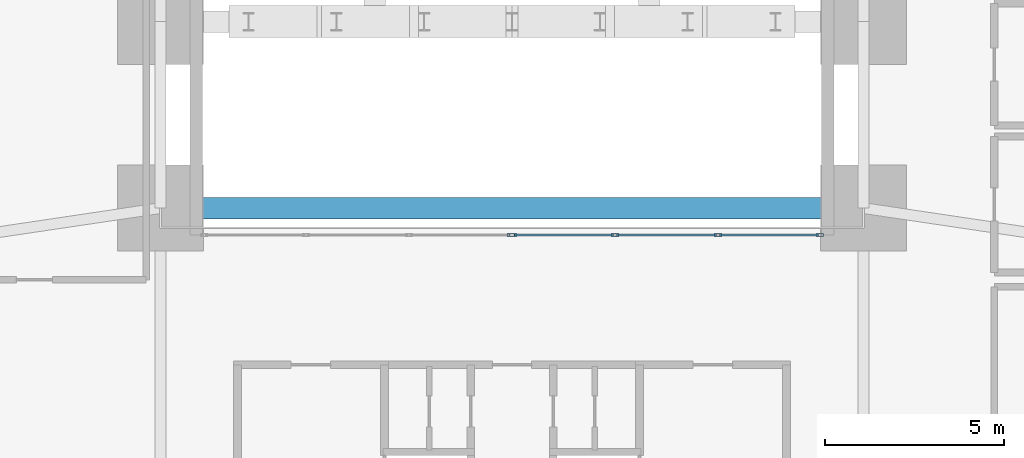
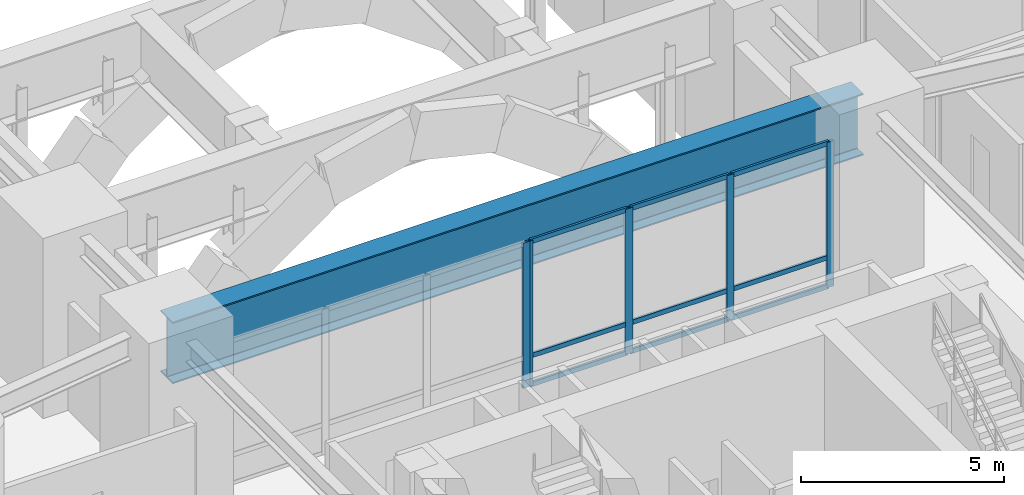
# One storey, part 10 of 18: 14 members, 1 beam, 2 elements without a shape of their own.
"""IFC4 building model written with IfcOpenShell, lengths in metres."""

from ifc_helpers import new_model, si_unit, direction, frame, origin, origin_2d, place, context, subcontext, project, spatial, hollow_rectangle, i_section, extrude, material, layer, layer_set, material_profile, profile_set, type_object, element, aggregate, save


model = new_model("IFC4")

# Units and contexts
model_context = context("Model", 3, precision=1e-05, world=origin(), true_north=direction((0.0, 1.0)))
body_context = subcontext(model_context, "Body", "Model", "MODEL_VIEW")
ifc_project = project(units=[si_unit("LENGTHUNIT", "METRE"), si_unit("AREAUNIT", "SQUARE_METRE"), si_unit("VOLUMEUNIT", "CUBIC_METRE"), si_unit("PLANEANGLEUNIT", "RADIAN"), si_unit("MASSUNIT", "GRAM", prefix="KILO"), si_unit("THERMODYNAMICTEMPERATUREUNIT", "KELVIN"), si_unit("POWERUNIT", "WATT")], contexts=[model_context])

# Site, building, storey
site_placement = place(None, origin())
site = spatial("IfcSite", under=ifc_project, at=site_placement, CompositionType="ELEMENT")
building_placement = place(site_placement, origin())
building = spatial("IfcBuilding", under=site, at=building_placement, Name="Ocrelia Relay Tower", CompositionType="ELEMENT")
storey_placement = place(building_placement, frame((0.0, 0.0, 10.199951171875)))
storey = spatial("IfcBuildingStorey", under=building, at=storey_placement, Name="L02", CompositionType="ELEMENT", Elevation=10.199951171875)

# Beam
ifc_material_1 = material(Name="Steel S355", Category="steel")
ifc_material_profile_1 = material_profile(ifc_material_1, i_section(OverallWidth=0.60009765625, OverallDepth=1.85009765625, WebThickness=0.028076171875, FlangeThickness=0.0400390625, FilletRadius=0.02001953125, at=origin_2d()), Name="WPG 1850x600")
ifc_profile_set_1 = profile_set([ifc_material_profile_1], Name="Steel S355")
beam_type = type_object("IfcBeamType", Name="BM-WPG1650", PredefinedType="T_BEAM", material=ifc_profile_set_1)
beam_placement = place(storey_placement, frame((24.199951171875, 38.800048828125, 4.155029296875), z_axis=(1.0, 0.0, 0.0), x_axis=(0.0, 1.0, 0.0)))
element("IfcBeam", 1, at=beam_placement, inside=storey, type_object=beam_type, Name="L02 Portal Arch Span Transfer Girder G5", PredefinedType="T_BEAM", context=body_context, shape_type="SweptSolid", body=[
    extrude(i_section(OverallWidth=0.60009765625, OverallDepth=1.85009765625, WebThickness=0.028076171875, FlangeThickness=0.0400390625, FilletRadius=0.02001953125, at=origin_2d()), origin(), (0.0, 0.0, 1.0), 19.60009765625),
])

# Curtain wall, member
ifc_material_2 = material(Name="Aluminium and solar-control low-E glass", Category="aluminium")
ifc_layer = layer(ifc_material_2, 0.179931640625, Name="Aluminium and solar-control low-E glass")
ifc_layer_set = layer_set([ifc_layer], Name="Aluminium and solar-control low-E glass")
curtain_wall_type = type_object("IfcCurtainWallType", Name="CW-SYS-POD-ARCH", PredefinedType="NOTDEFINED", material=ifc_layer_set)
curtain_wall_1_placement = place(storey_placement, origin())
curtain_wall_1 = element("IfcCurtainWall", 2, at=curtain_wall_1_placement, inside=storey, type_object=curtain_wall_type, Name="L02 North Portal Concourse Glazed Screen West", PredefinedType="NOTDEFINED")
ifc_material_3 = material(Name="Anodised bronze aluminium", Category="aluminium")
ifc_material_profile_2 = material_profile(ifc_material_3, hollow_rectangle(XDim=0.074951171875, YDim=0.199951171875, WallThickness=0.006103515625, at=origin_2d()), Name="CW-MUL-200x75")
ifc_profile_set_2 = profile_set([ifc_material_profile_2], Name="Anodised bronze aluminium")
member_type_1 = type_object("IfcMemberType", Name="CW-SYS-POD-ARCH-MUL", PredefinedType="MULLION", material=ifc_profile_set_2)
member_1_placement = place(storey_placement, frame((33.96240234375, 38.050048828125, 0.0), z_axis=(0.0, 0.0, 1.0), x_axis=(0.0, 1.0, 0.0)))
member_1 = element("IfcMember", 3, at=member_1_placement, type_object=member_type_1, Name="CW-PA mullion 4", PredefinedType="MULLION", context=body_context, shape_type="SweptSolid", body=[
    extrude(hollow_rectangle(XDim=0.074951171875, YDim=0.199951171875, WallThickness=0.006103515625, at=origin_2d()), origin(), (0.0, 0.0, 1.0), 4.360107421875),
])
aggregate(curtain_wall_1, [member_1])

# Curtain wall, members
curtain_wall_2_placement = place(storey_placement, origin())
curtain_wall_2 = element("IfcCurtainWall", 4, at=curtain_wall_2_placement, inside=storey, type_object=curtain_wall_type, Name="L02 North Portal Concourse Glazed Screen East", PredefinedType="NOTDEFINED")
member_2_placement = place(storey_placement, frame((34.03759765625, 38.050048828125, 0.0), z_axis=(0.0, 0.0, 1.0), x_axis=(0.0, 1.0, 0.0)))
member_2 = element("IfcMember", 5, at=member_2_placement, type_object=member_type_1, Name="CW-PA mullion 1", PredefinedType="MULLION", context=body_context, shape_type="SweptSolid", body=[
    extrude(hollow_rectangle(XDim=0.074951171875, YDim=0.199951171875, WallThickness=0.006103515625, at=origin_2d()), origin(), (0.0, 0.0, 1.0), 4.360107421875),
])
member_3_placement = place(storey_placement, frame((36.873291015625, 38.050048828125, 0.0), z_axis=(0.0, 0.0, 1.0), x_axis=(0.0, 1.0, 0.0)))
member_3 = element("IfcMember", 6, at=member_3_placement, type_object=member_type_1, Name="CW-PA mullion 2", PredefinedType="MULLION", context=body_context, shape_type="SweptSolid", body=[
    extrude(hollow_rectangle(XDim=0.074951171875, YDim=0.199951171875, WallThickness=0.006103515625, at=origin_2d()), origin(), (0.0, 0.0, 1.0), 4.360107421875),
])
member_4_placement = place(storey_placement, frame((39.74658203125, 38.050048828125, 0.0), z_axis=(0.0, 0.0, 1.0), x_axis=(0.0, 1.0, 0.0)))
member_4 = element("IfcMember", 7, at=member_4_placement, type_object=member_type_1, Name="CW-PA mullion 3", PredefinedType="MULLION", context=body_context, shape_type="SweptSolid", body=[
    extrude(hollow_rectangle(XDim=0.074951171875, YDim=0.199951171875, WallThickness=0.006103515625, at=origin_2d()), origin(), (0.0, 0.0, 1.0), 4.360107421875),
])
member_5_placement = place(storey_placement, frame((42.58251953125, 38.050048828125, 0.0), z_axis=(0.0, 0.0, 1.0), x_axis=(0.0, 1.0, 0.0)))
member_5 = element("IfcMember", 8, at=member_5_placement, type_object=member_type_1, Name="CW-PA mullion 4", PredefinedType="MULLION", context=body_context, shape_type="SweptSolid", body=[
    extrude(hollow_rectangle(XDim=0.074951171875, YDim=0.199951171875, WallThickness=0.006103515625, at=origin_2d()), origin(), (0.0, 0.0, 1.0), 4.360107421875),
])
ifc_material_profile_3 = material_profile(ifc_material_3, hollow_rectangle(XDim=0.06494140625, YDim=0.139892578125, WallThickness=0.0048828125, at=origin_2d()), Name="CW-TRN-140x65")
ifc_profile_set_3 = profile_set([ifc_material_profile_3], Name="Anodised bronze aluminium")
member_type_2 = type_object("IfcMemberType", Name="CW-SYS-POD-ARCH-TRN", PredefinedType="USERDEFINED", material=ifc_profile_set_3)
member_6_placement = place(storey_placement, frame((34.074951171875, 38.050048828125, 0.032470703125), z_axis=(1.0, 0.0, 0.0), x_axis=(0.0, 1.0, 0.0)))
member_6 = element("IfcMember", 9, at=member_6_placement, type_object=member_type_2, Name="CW-PA transom 1.1", ObjectType="TRANSOM", PredefinedType="USERDEFINED", context=body_context, shape_type="SweptSolid", body=[
    extrude(hollow_rectangle(XDim=0.06494140625, YDim=0.139892578125, WallThickness=0.0048828125, at=origin_2d()), origin(), (0.0, 0.0, 1.0), 2.760986328125),
])
member_7_placement = place(storey_placement, frame((34.074951171875, 38.050048828125, 0.900146484375), z_axis=(1.0, 0.0, 0.0), x_axis=(0.0, 1.0, 0.0)))
member_7 = element("IfcMember", 10, at=member_7_placement, type_object=member_type_2, Name="CW-PA transom 1.2", ObjectType="TRANSOM", PredefinedType="USERDEFINED", context=body_context, shape_type="SweptSolid", body=[
    extrude(hollow_rectangle(XDim=0.06494140625, YDim=0.139892578125, WallThickness=0.0048828125, at=origin_2d()), origin(), (0.0, 0.0, 1.0), 2.760986328125),
])
member_8_placement = place(storey_placement, frame((34.074951171875, 38.050048828125, 4.32763671875), z_axis=(1.0, 0.0, 0.0), x_axis=(0.0, 1.0, 0.0)))
member_8 = element("IfcMember", 11, at=member_8_placement, type_object=member_type_2, Name="CW-PA transom 1.3", ObjectType="TRANSOM", PredefinedType="USERDEFINED", context=body_context, shape_type="SweptSolid", body=[
    extrude(hollow_rectangle(XDim=0.06494140625, YDim=0.139892578125, WallThickness=0.0048828125, at=origin_2d()), origin(), (0.0, 0.0, 1.0), 2.760986328125),
])
member_9_placement = place(storey_placement, frame((36.910888671875, 38.050048828125, 0.032470703125), z_axis=(1.0, 0.0, 0.0), x_axis=(0.0, 1.0, 0.0)))
member_9 = element("IfcMember", 12, at=member_9_placement, type_object=member_type_2, Name="CW-PA transom 2.1", ObjectType="TRANSOM", PredefinedType="USERDEFINED", context=body_context, shape_type="SweptSolid", body=[
    extrude(hollow_rectangle(XDim=0.06494140625, YDim=0.139892578125, WallThickness=0.0048828125, at=origin_2d()), origin(), (0.0, 0.0, 1.0), 2.79833984375),
])
member_10_placement = place(storey_placement, frame((36.910888671875, 38.050048828125, 0.900146484375), z_axis=(1.0, 0.0, 0.0), x_axis=(0.0, 1.0, 0.0)))
member_10 = element("IfcMember", 13, at=member_10_placement, type_object=member_type_2, Name="CW-PA transom 2.2", ObjectType="TRANSOM", PredefinedType="USERDEFINED", context=body_context, shape_type="SweptSolid", body=[
    extrude(hollow_rectangle(XDim=0.06494140625, YDim=0.139892578125, WallThickness=0.0048828125, at=origin_2d()), origin(), (0.0, 0.0, 1.0), 2.79833984375),
])
member_11_placement = place(storey_placement, frame((36.910888671875, 38.050048828125, 4.32763671875), z_axis=(1.0, 0.0, 0.0), x_axis=(0.0, 1.0, 0.0)))
member_11 = element("IfcMember", 14, at=member_11_placement, type_object=member_type_2, Name="CW-PA transom 2.3", ObjectType="TRANSOM", PredefinedType="USERDEFINED", context=body_context, shape_type="SweptSolid", body=[
    extrude(hollow_rectangle(XDim=0.06494140625, YDim=0.139892578125, WallThickness=0.0048828125, at=origin_2d()), origin(), (0.0, 0.0, 1.0), 2.79833984375),
])
member_12_placement = place(storey_placement, frame((39.7841796875, 38.050048828125, 0.032470703125), z_axis=(1.0, 0.0, 0.0), x_axis=(0.0, 1.0, 0.0)))
member_12 = element("IfcMember", 15, at=member_12_placement, type_object=member_type_2, Name="CW-PA transom 3.1", ObjectType="TRANSOM", PredefinedType="USERDEFINED", context=body_context, shape_type="SweptSolid", body=[
    extrude(hollow_rectangle(XDim=0.06494140625, YDim=0.139892578125, WallThickness=0.0048828125, at=origin_2d()), origin(), (0.0, 0.0, 1.0), 2.7607421875),
])
member_13_placement = place(storey_placement, frame((39.7841796875, 38.050048828125, 0.900146484375), z_axis=(1.0, 0.0, 0.0), x_axis=(0.0, 1.0, 0.0)))
member_13 = element("IfcMember", 16, at=member_13_placement, type_object=member_type_2, Name="CW-PA transom 3.2", ObjectType="TRANSOM", PredefinedType="USERDEFINED", context=body_context, shape_type="SweptSolid", body=[
    extrude(hollow_rectangle(XDim=0.06494140625, YDim=0.139892578125, WallThickness=0.0048828125, at=origin_2d()), origin(), (0.0, 0.0, 1.0), 2.7607421875),
])
member_14_placement = place(storey_placement, frame((39.7841796875, 38.050048828125, 4.32763671875), z_axis=(1.0, 0.0, 0.0), x_axis=(0.0, 1.0, 0.0)))
member_14 = element("IfcMember", 17, at=member_14_placement, type_object=member_type_2, Name="CW-PA transom 3.3", ObjectType="TRANSOM", PredefinedType="USERDEFINED", context=body_context, shape_type="SweptSolid", body=[
    extrude(hollow_rectangle(XDim=0.06494140625, YDim=0.139892578125, WallThickness=0.0048828125, at=origin_2d()), origin(), (0.0, 0.0, 1.0), 2.7607421875),
])
aggregate(curtain_wall_2, [member_2, member_3, member_4, member_5, member_6, member_7, member_8, member_9, member_10, member_11, member_12, member_13, member_14])

save(model, "model.ifc")
